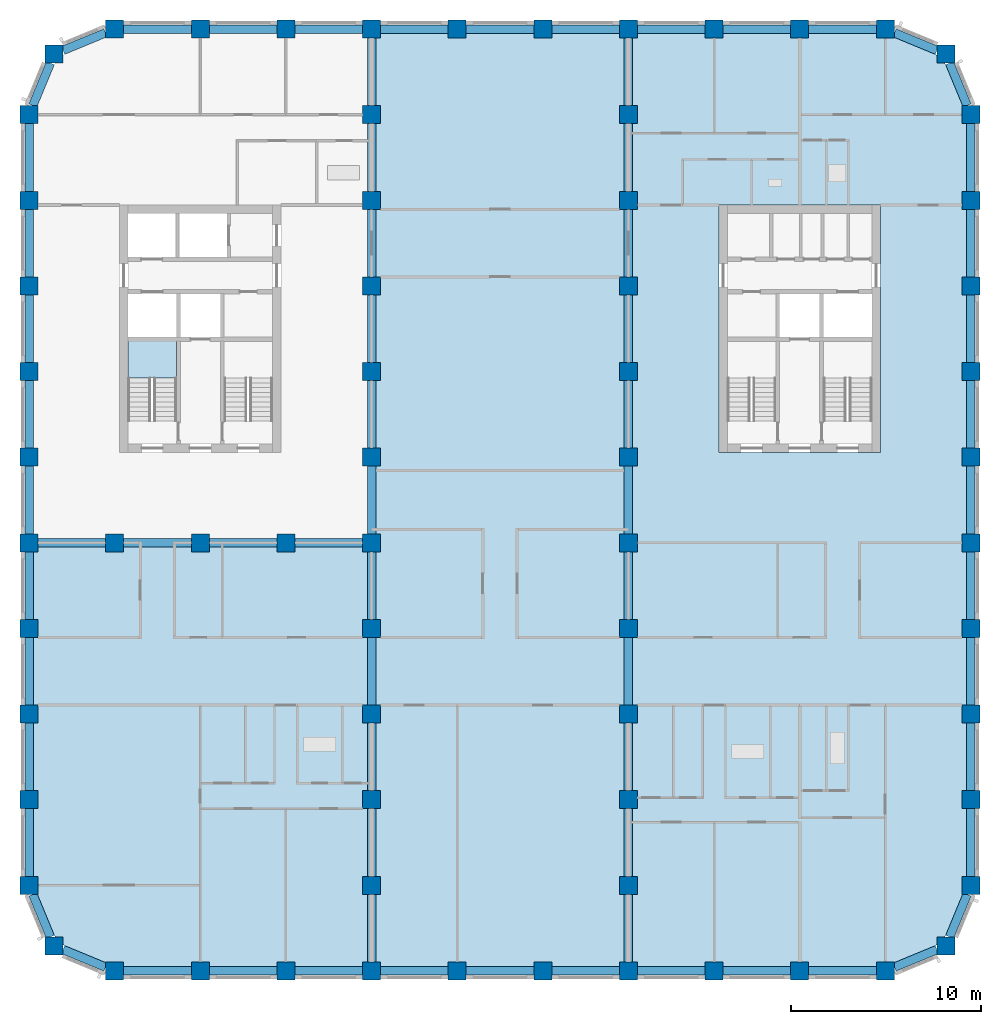
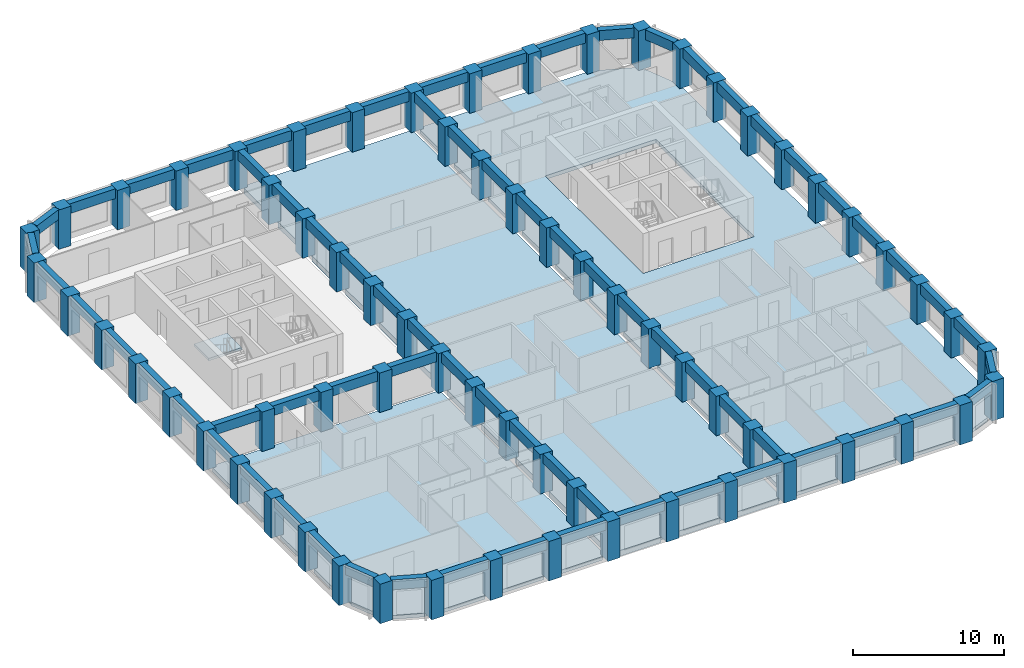
# One storey, part 1 of 12: 70 beams, 67 columns, 4 slabs, 1 element without a shape of its own.
"""IFC4 building model written with IfcOpenShell, lengths in metres."""

from ifc_helpers import new_model, si_unit, direction, frame, origin, origin_2d, place, context, subcontext, project, spatial, polyline, rectangle, outline, extrude, material, layer, layer_set, material_profile, profile_set, type_object, element, aggregate, save


model = new_model("IFC4")

# Units and contexts
model_context = context("Model", 3, precision=1e-05, world=origin(), true_north=direction((0.0, 1.0)))
body_context = subcontext(model_context, "Body", "Model", "MODEL_VIEW")
ifc_project = project(units=[si_unit("LENGTHUNIT", "METRE"), si_unit("AREAUNIT", "SQUARE_METRE"), si_unit("VOLUMEUNIT", "CUBIC_METRE"), si_unit("PLANEANGLEUNIT", "RADIAN"), si_unit("MASSUNIT", "GRAM", prefix="KILO")], contexts=[model_context])

# Site, building, storey
site_placement = place(None, origin())
site = spatial("IfcSite", under=ifc_project, at=site_placement, CompositionType="ELEMENT")
building_placement = place(site_placement, origin())
building = spatial("IfcBuilding", under=site, at=building_placement, Name="Girih Gate Residences", CompositionType="ELEMENT")
storey_placement = place(building_placement, frame((0.0, 0.0, 143.0)))
storey = spatial("IfcBuildingStorey", under=building, at=storey_placement, Name="L40", CompositionType="ELEMENT", Elevation=143.0)

# Columns
ifc_material_1 = material(Name="Concrete C70/85", Category="concrete")
ifc_material_profile_1 = material_profile(ifc_material_1, rectangle(XDim=0.949951171875, YDim=0.949951171875, at=origin_2d()))
ifc_profile_set_1 = profile_set([ifc_material_profile_1], Name="Concrete C70/85")
column_type = type_object("IfcColumnType", Name="Pier RC 950x950 Concrete C70/85", PredefinedType="COLUMN", material=ifc_profile_set_1)
for number, where, z_axis, x_axis, name in (
    (1, (4.5, 0.0, 0.0), (0.0, 0.0, 1.0), (1.0, 0.0, 0.0), "Pier P2A L40"),
    (2, (9.0, 0.0, 0.0), (0.0, 0.0, 1.0), (1.0, 0.0, 0.0), "Pier P3A L40"),
    (3, (13.5, 0.0, 0.0), (0.0, 0.0, 1.0), (1.0, 0.0, 0.0), "Pier P4A L40"),
    (4, (18.0, 0.0, 0.0), (0.0, 0.0, 1.0), (1.0, 0.0, 0.0), "Pier P5A L40"),
    (5, (22.5, 0.0, 0.0), (0.0, 0.0, 1.0), (1.0, 0.0, 0.0), "Pier P6A L40"),
    (6, (27.0, 0.0, 0.0), (0.0, 0.0, 1.0), (1.0, 0.0, 0.0), "Pier P7A L40"),
    (7, (31.5, 0.0, 0.0), (0.0, 0.0, 1.0), (1.0, 0.0, 0.0), "Pier P8A L40"),
    (8, (36.0, 0.0, 0.0), (0.0, 0.0, 1.0), (1.0, 0.0, 0.0), "Pier P9A L40"),
    (9, (40.5, 0.0, 0.0), (0.0, 0.0, 1.0), (1.0, 0.0, 0.0), "Pier P10A L40"),
    (10, (45.0, 0.0, 0.0), (0.0, 0.0, 1.0), (1.0, 0.0, 0.0), "Pier P11A L40"),
    (11, (1.318115234375, 1.318115234375, 0.0), (0.0, 0.0, 1.0), (1.0, 0.0, 0.0), "Pier P1ANE L40"),
    (12, (48.181884765625, 1.318115234375, 0.0), (0.0, 0.0, 1.0), (1.0, 0.0, 0.0), "Pier P12ANW L40"),
    (13, (0.0, 4.5, 0.0), (0.0, 0.0, 1.0), (1.0, 0.0, 0.0), "Pier P1B L40"),
    (14, (18.0, 4.5, 0.0), (0.0, 0.0, 1.0), (1.0, 0.0, 0.0), "Pier P5B L40"),
    (15, (31.5, 4.5, 0.0), (0.0, 0.0, 1.0), (1.0, 0.0, 0.0), "Pier P8B L40"),
    (16, (49.5, 4.5, 0.0), (0.0, 0.0, 1.0), (1.0, 0.0, 0.0), "Pier P12B L40"),
    (17, (0.0, 9.0, 0.0), (0.0, 0.0, 1.0), (1.0, 0.0, 0.0), "Pier P1C L40"),
    (18, (18.0, 9.0, 0.0), (0.0, 0.0, 1.0), (1.0, 0.0, 0.0), "Pier P5C L40"),
    (19, (31.5, 9.0, 0.0), (0.0, 0.0, 1.0), (1.0, 0.0, 0.0), "Pier P8C L40"),
    (20, (49.5, 9.0, 0.0), (0.0, 0.0, 1.0), (1.0, 0.0, 0.0), "Pier P12C L40"),
    (21, (0.0, 13.5, 0.0), (0.0, 0.0, 1.0), (1.0, 0.0, 0.0), "Pier P1D L40"),
    (22, (18.0, 13.5, 0.0), (0.0, 0.0, 1.0), (1.0, 0.0, 0.0), "Pier P5D L40"),
    (23, (31.5, 13.5, 0.0), (0.0, 0.0, 1.0), (1.0, 0.0, 0.0), "Pier P8D L40"),
    (24, (49.5, 13.5, 0.0), (0.0, 0.0, 1.0), (1.0, 0.0, 0.0), "Pier P12D L40"),
    (25, (0.0, 18.0, 0.0), (0.0, 0.0, 1.0), (1.0, 0.0, 0.0), "Pier P1E L40"),
    (26, (18.0, 18.0, 0.0), (0.0, 0.0, 1.0), (1.0, 0.0, 0.0), "Pier P5E L40"),
    (27, (31.5, 18.0, 0.0), (0.0, 0.0, 1.0), (1.0, 0.0, 0.0), "Pier P8E L40"),
    (28, (49.5, 18.0, 0.0), (0.0, 0.0, 1.0), (1.0, 0.0, 0.0), "Pier P12E L40"),
    (29, (0.0, 22.5, 0.0), (0.0, 0.0, 1.0), (1.0, 0.0, 0.0), "Pier P1F L40"),
    (30, (4.5, 22.5, 0.0), (0.0, 0.0, 1.0), (1.0, 0.0, 0.0), "Pier P2F L40"),
    (31, (9.0, 22.5, 0.0), (0.0, 0.0, 1.0), (1.0, 0.0, 0.0), "Pier P3F L40"),
    (32, (13.5, 22.5, 0.0), (0.0, 0.0, 1.0), (1.0, 0.0, 0.0), "Pier P4F L40"),
    (33, (18.0, 22.5, 0.0), (0.0, 0.0, 1.0), (1.0, 0.0, 0.0), "Pier P5F L40"),
    (34, (31.5, 22.5, 0.0), (0.0, 0.0, 1.0), (1.0, 0.0, 0.0), "Pier P8F L40"),
    (35, (49.5, 22.5, 0.0), (0.0, 0.0, 1.0), (1.0, 0.0, 0.0), "Pier P12F L40"),
    (36, (0.0, 27.0, 0.0), (0.0, 0.0, 1.0), (1.0, 0.0, 0.0), "Pier P1G L40"),
    (37, (18.0, 27.0, 0.0), (0.0, 0.0, 1.0), (1.0, 0.0, 0.0), "Pier P5G L40"),
    (38, (31.5, 27.0, 0.0), (0.0, 0.0, 1.0), (1.0, 0.0, 0.0), "Pier P8G L40"),
    (39, (49.5, 27.0, 0.0), (0.0, 0.0, 1.0), (1.0, 0.0, 0.0), "Pier P12G L40"),
    (40, (0.0, 31.5, 0.0), (0.0, 0.0, 1.0), (1.0, 0.0, 0.0), "Pier P1H L40"),
    (41, (18.0, 31.5, 0.0), (0.0, 0.0, 1.0), (1.0, 0.0, 0.0), "Pier P5H L40"),
    (42, (31.5, 31.5, 0.0), (0.0, 0.0, 1.0), (1.0, 0.0, 0.0), "Pier P8H L40"),
    (43, (49.5, 31.5, 0.0), (0.0, 0.0, 1.0), (1.0, 0.0, 0.0), "Pier P12H L40"),
    (44, (0.0, 36.0, 0.0), (0.0, 0.0, 1.0), (1.0, 0.0, 0.0), "Pier P1I L40"),
    (45, (18.0, 36.0, 0.0), (0.0, 0.0, 1.0), (1.0, 0.0, 0.0), "Pier P5I L40"),
    (46, (31.5, 36.0, 0.0), (0.0, 0.0, 1.0), (1.0, 0.0, 0.0), "Pier P8I L40"),
    (47, (49.5, 36.0, 0.0), (0.0, 0.0, 1.0), (1.0, 0.0, 0.0), "Pier P12I L40"),
    (48, (0.0, 40.5, 0.0), (0.0, 0.0, 1.0), (1.0, 0.0, 0.0), "Pier P1J L40"),
    (49, (18.0, 40.5, 0.0), (0.0, 0.0, 1.0), (1.0, 0.0, 0.0), "Pier P5J L40"),
    (50, (31.5, 40.5, 0.0), (0.0, 0.0, 1.0), (1.0, 0.0, 0.0), "Pier P8J L40"),
    (51, (49.5, 40.5, 0.0), (0.0, 0.0, 1.0), (1.0, 0.0, 0.0), "Pier P12J L40"),
    (52, (0.0, 45.0, 0.0), (0.0, 0.0, 1.0), (1.0, 0.0, 0.0), "Pier P1K L40"),
    (53, (18.0, 45.0, 0.0), (0.0, 0.0, 1.0), (1.0, 0.0, 0.0), "Pier P5K L40"),
    (54, (31.5, 45.0, 0.0), (0.0, 0.0, 1.0), (1.0, 0.0, 0.0), "Pier P8K L40"),
    (55, (49.5, 45.0, 0.0), (0.0, 0.0, 1.0), (1.0, 0.0, 0.0), "Pier P12K L40"),
    (56, (1.318115234375, 48.181884765625, 0.0), (0.0, 0.0, 1.0), (1.0, 0.0, 0.0), "Pier P1LSE L40"),
    (57, (48.181884765625, 48.181884765625, 0.0), (0.0, 0.0, 1.0), (1.0, 0.0, 0.0), "Pier P12LSW L40"),
    (58, (4.5, 49.5, 0.0), (0.0, 0.0, 1.0), (1.0, 0.0, 0.0), "Pier P2L L40"),
    (59, (9.0, 49.5, 0.0), (0.0, 0.0, 1.0), (1.0, 0.0, 0.0), "Pier P3L L40"),
    (60, (13.5, 49.5, 0.0), (0.0, 0.0, 1.0), (1.0, 0.0, 0.0), "Pier P4L L40"),
    (61, (18.0, 49.5, 0.0), (0.0, 0.0, 1.0), (1.0, 0.0, 0.0), "Pier P5L L40"),
    (62, (22.5, 49.5, 0.0), (0.0, 0.0, 1.0), (1.0, 0.0, 0.0), "Pier P6L L40"),
    (63, (27.0, 49.5, 0.0), (0.0, 0.0, 1.0), (1.0, 0.0, 0.0), "Pier P7L L40"),
    (64, (31.5, 49.5, 0.0), (0.0, 0.0, 1.0), (1.0, 0.0, 0.0), "Pier P8L L40"),
    (65, (36.0, 49.5, 0.0), (0.0, 0.0, 1.0), (1.0, 0.0, 0.0), "Pier P9L L40"),
    (66, (40.5, 49.5, 0.0), (0.0, 0.0, 1.0), (1.0, 0.0, 0.0), "Pier P10L L40"),
    (67, (45.0, 49.5, 0.0), (0.0, 0.0, 1.0), (1.0, 0.0, 0.0), "Pier P11L L40"),
):
    element("IfcColumn", number, at=place(storey_placement, frame(where, z_axis=z_axis, x_axis=x_axis)), inside=storey, type_object=column_type, Name=name, PredefinedType="COLUMN", context=body_context, shape_type="SweptSolid", body=[
        extrude(rectangle(XDim=0.949951171875, YDim=0.949951171875, at=origin_2d()), origin(), (0.0, 0.0, 1.0), 3.199951171875),
    ])

# Beams
ifc_material_2 = material(Name="Concrete C60/75", Category="concrete")
ifc_material_profile_2 = material_profile(ifc_material_2, rectangle(XDim=0.449951171875, YDim=0.800048828125, at=origin_2d()))
ifc_profile_set_2 = profile_set([ifc_material_profile_2], Name="Concrete C60/75")
beam_type = type_object("IfcBeamType", Name="Spandrel girder RC 450x800 Concrete C60/75", PredefinedType="BEAM", material=ifc_profile_set_2)
for number, where, z_axis, x_axis, name in (
    (68, (0.19677734375, 4.02490234375, 2.800048828125), (0.382705825988, -0.923870256451, 0.0), (0.923870256451, 0.382705825988, 0.0), "Spandrel girder SP-P1B-P1ANE L40"),
    (69, (1.79296875, 1.121337890625, 2.800048828125), (0.923870256451, -0.382705825988, 0.0), (0.382705825988, 0.923870256451, 0.0), "Spandrel girder SP-P1ANE-P2A L40"),
):
    element("IfcBeam", number, at=place(storey_placement, frame(where, z_axis=z_axis, x_axis=x_axis)), inside=storey, type_object=beam_type, Name=name, PredefinedType="BEAM", context=body_context, shape_type="SweptSolid", body=[
        extrude(rectangle(XDim=0.449951171875, YDim=0.800048828125, at=origin_2d()), origin(), (0.0, 0.0, 1.0), 2.415771484375),
    ])
for number, where, z_axis, x_axis, name in (
    (70, (4.97509765625, 0.0, 2.800048828125), (1.0, 0.0, 0.0), (0.0, 1.0, 0.0), "Spandrel girder SP-P2A-P3A L40"),
    (71, (9.47509765625, 0.0, 2.800048828125), (1.0, 0.0, 0.0), (0.0, 1.0, 0.0), "Spandrel girder SP-P3A-P4A L40"),
    (72, (13.97509765625, 0.0, 2.800048828125), (1.0, 0.0, 0.0), (0.0, 1.0, 0.0), "Spandrel girder SP-P4A-P5A L40"),
    (73, (18.47509765625, 0.0, 2.800048828125), (1.0, 0.0, 0.0), (0.0, 1.0, 0.0), "Spandrel girder SP-P5A-P6A L40"),
    (74, (22.97509765625, 0.0, 2.800048828125), (1.0, 0.0, 0.0), (0.0, 1.0, 0.0), "Spandrel girder SP-P6A-P7A L40"),
    (75, (27.47509765625, 0.0, 2.800048828125), (1.0, 0.0, 0.0), (0.0, 1.0, 0.0), "Spandrel girder SP-P7A-P8A L40"),
    (76, (31.97509765625, 0.0, 2.800048828125), (1.0, 0.0, 0.0), (0.0, 1.0, 0.0), "Spandrel girder SP-P8A-P9A L40"),
    (77, (36.47509765625, 0.0, 2.800048828125), (1.0, 0.0, 0.0), (0.0, 1.0, 0.0), "Spandrel girder SP-P9A-P10A L40"),
    (78, (40.97509765625, 0.0, 2.800048828125), (1.0, 0.0, 0.0), (0.0, 1.0, 0.0), "Spandrel girder SP-P10A-P11A L40"),
):
    element("IfcBeam", number, at=place(storey_placement, frame(where, z_axis=z_axis, x_axis=x_axis)), inside=storey, type_object=beam_type, Name=name, PredefinedType="BEAM", context=body_context, shape_type="SweptSolid", body=[
        extrude(rectangle(XDim=0.449951171875, YDim=0.800048828125, at=origin_2d()), origin(), (0.0, 0.0, 1.0), 3.5498046875),
    ])
for number, where, z_axis, x_axis, name in (
    (79, (45.47509765625, 0.19677734375, 2.800048828125), (0.923870256451, 0.382705825988, 0.0), (-0.382705825988, 0.923870256451, 0.0), "Spandrel girder SP-P11A-P12ANW L40"),
    (80, (48.378662109375, 1.79296875, 2.800048828125), (0.382705825988, 0.923870256451, 0.0), (-0.923870256451, 0.382705825988, 0.0), "Spandrel girder SP-P12ANW-P12B L40"),
):
    element("IfcBeam", number, at=place(storey_placement, frame(where, z_axis=z_axis, x_axis=x_axis)), inside=storey, type_object=beam_type, Name=name, PredefinedType="BEAM", context=body_context, shape_type="SweptSolid", body=[
        extrude(rectangle(XDim=0.449951171875, YDim=0.800048828125, at=origin_2d()), origin(), (0.0, 0.0, 1.0), 2.415771484375),
    ])
for number, where, z_axis, x_axis, name in (
    (81, (49.5, 4.97509765625, 2.800048828125), (0.0, 1.0, 0.0), (-1.0, 0.0, 0.0), "Spandrel girder SP-P12B-P12C L40"),
    (82, (49.5, 9.47509765625, 2.800048828125), (0.0, 1.0, 0.0), (-1.0, 0.0, 0.0), "Spandrel girder SP-P12C-P12D L40"),
    (83, (49.5, 13.97509765625, 2.800048828125), (0.0, 1.0, 0.0), (-1.0, 0.0, 0.0), "Spandrel girder SP-P12D-P12E L40"),
    (84, (49.5, 18.47509765625, 2.800048828125), (0.0, 1.0, 0.0), (-1.0, 0.0, 0.0), "Spandrel girder SP-P12E-P12F L40"),
    (85, (49.5, 22.97509765625, 2.800048828125), (0.0, 1.0, 0.0), (-1.0, 0.0, 0.0), "Spandrel girder SP-P12F-P12G L40"),
    (86, (49.5, 27.47509765625, 2.800048828125), (0.0, 1.0, 0.0), (-1.0, 0.0, 0.0), "Spandrel girder SP-P12G-P12H L40"),
    (87, (49.5, 31.97509765625, 2.800048828125), (0.0, 1.0, 0.0), (-1.0, 0.0, 0.0), "Spandrel girder SP-P12H-P12I L40"),
    (88, (49.5, 36.47509765625, 2.800048828125), (0.0, 1.0, 0.0), (-1.0, 0.0, 0.0), "Spandrel girder SP-P12I-P12J L40"),
    (89, (49.5, 40.97509765625, 2.800048828125), (0.0, 1.0, 0.0), (-1.0, 0.0, 0.0), "Spandrel girder SP-P12J-P12K L40"),
):
    element("IfcBeam", number, at=place(storey_placement, frame(where, z_axis=z_axis, x_axis=x_axis)), inside=storey, type_object=beam_type, Name=name, PredefinedType="BEAM", context=body_context, shape_type="SweptSolid", body=[
        extrude(rectangle(XDim=0.449951171875, YDim=0.800048828125, at=origin_2d()), origin(), (0.0, 0.0, 1.0), 3.5498046875),
    ])
for number, where, z_axis, x_axis, name in (
    (90, (49.30322265625, 45.47509765625, 2.800048828125), (-0.382705825988, 0.923870256451, 0.0), (-0.923870256451, -0.382705825988, 0.0), "Spandrel girder SP-P12K-P12LSW L40"),
    (91, (47.70703125, 48.378662109375, 2.800048828125), (-0.923870256451, 0.382705825988, 0.0), (-0.382705825988, -0.923870256451, 0.0), "Spandrel girder SP-P12LSW-P11L L40"),
):
    element("IfcBeam", number, at=place(storey_placement, frame(where, z_axis=z_axis, x_axis=x_axis)), inside=storey, type_object=beam_type, Name=name, PredefinedType="BEAM", context=body_context, shape_type="SweptSolid", body=[
        extrude(rectangle(XDim=0.449951171875, YDim=0.800048828125, at=origin_2d()), origin(), (0.0, 0.0, 1.0), 2.415771484375),
    ])
for number, where, z_axis, x_axis, name in (
    (92, (44.52490234375, 49.5, 2.800048828125), (-1.0, 0.0, 0.0), (0.0, -1.0, 0.0), "Spandrel girder SP-P11L-P10L L40"),
    (93, (40.02490234375, 49.5, 2.800048828125), (-1.0, 0.0, 0.0), (0.0, -1.0, 0.0), "Spandrel girder SP-P10L-P9L L40"),
    (94, (35.52490234375, 49.5, 2.800048828125), (-1.0, 0.0, 0.0), (0.0, -1.0, 0.0), "Spandrel girder SP-P9L-P8L L40"),
    (95, (31.02490234375, 49.5, 2.800048828125), (-1.0, 0.0, 0.0), (0.0, -1.0, 0.0), "Spandrel girder SP-P8L-P7L L40"),
    (96, (26.52490234375, 49.5, 2.800048828125), (-1.0, 0.0, 0.0), (0.0, -1.0, 0.0), "Spandrel girder SP-P7L-P6L L40"),
    (97, (22.02490234375, 49.5, 2.800048828125), (-1.0, 0.0, 0.0), (0.0, -1.0, 0.0), "Spandrel girder SP-P6L-P5L L40"),
    (98, (17.52490234375, 49.5, 2.800048828125), (-1.0, 0.0, 0.0), (0.0, -1.0, 0.0), "Spandrel girder SP-P5L-P4L L40"),
    (99, (13.02490234375, 49.5, 2.800048828125), (-1.0, 0.0, 0.0), (0.0, -1.0, 0.0), "Spandrel girder SP-P4L-P3L L40"),
    (100, (8.52490234375, 49.5, 2.800048828125), (-1.0, 0.0, 0.0), (0.0, -1.0, 0.0), "Spandrel girder SP-P3L-P2L L40"),
):
    element("IfcBeam", number, at=place(storey_placement, frame(where, z_axis=z_axis, x_axis=x_axis)), inside=storey, type_object=beam_type, Name=name, PredefinedType="BEAM", context=body_context, shape_type="SweptSolid", body=[
        extrude(rectangle(XDim=0.449951171875, YDim=0.800048828125, at=origin_2d()), origin(), (0.0, 0.0, 1.0), 3.5498046875),
    ])
for number, where, z_axis, x_axis, name in (
    (101, (4.02490234375, 49.30322265625, 2.800048828125), (-0.923870256451, -0.382705825988, 0.0), (0.382705825988, -0.923870256451, 0.0), "Spandrel girder SP-P2L-P1LSE L40"),
    (102, (1.121337890625, 47.70703125, 2.800048828125), (-0.382705825988, -0.923870256451, 0.0), (0.923870256451, -0.382705825988, 0.0), "Spandrel girder SP-P1LSE-P1K L40"),
):
    element("IfcBeam", number, at=place(storey_placement, frame(where, z_axis=z_axis, x_axis=x_axis)), inside=storey, type_object=beam_type, Name=name, PredefinedType="BEAM", context=body_context, shape_type="SweptSolid", body=[
        extrude(rectangle(XDim=0.449951171875, YDim=0.800048828125, at=origin_2d()), origin(), (0.0, 0.0, 1.0), 2.415771484375),
    ])
for number, where, z_axis, x_axis, name in (
    (103, (0.0, 44.52490234375, 2.800048828125), (0.0, -1.0, 0.0), (1.0, 0.0, 0.0), "Spandrel girder SP-P1K-P1J L40"),
    (104, (0.0, 40.02490234375, 2.800048828125), (0.0, -1.0, 0.0), (1.0, 0.0, 0.0), "Spandrel girder SP-P1J-P1I L40"),
    (105, (0.0, 35.52490234375, 2.800048828125), (0.0, -1.0, 0.0), (1.0, 0.0, 0.0), "Spandrel girder SP-P1I-P1H L40"),
    (106, (0.0, 31.02490234375, 2.800048828125), (0.0, -1.0, 0.0), (1.0, 0.0, 0.0), "Spandrel girder SP-P1H-P1G L40"),
    (107, (0.0, 26.52490234375, 2.800048828125), (0.0, -1.0, 0.0), (1.0, 0.0, 0.0), "Spandrel girder SP-P1G-P1F L40"),
    (108, (0.0, 22.02490234375, 2.800048828125), (0.0, -1.0, 0.0), (1.0, 0.0, 0.0), "Spandrel girder SP-P1F-P1E L40"),
    (109, (0.0, 17.52490234375, 2.800048828125), (0.0, -1.0, 0.0), (1.0, 0.0, 0.0), "Spandrel girder SP-P1E-P1D L40"),
    (110, (0.0, 13.02490234375, 2.800048828125), (0.0, -1.0, 0.0), (1.0, 0.0, 0.0), "Spandrel girder SP-P1D-P1C L40"),
    (111, (0.0, 8.52490234375, 2.800048828125), (0.0, -1.0, 0.0), (1.0, 0.0, 0.0), "Spandrel girder SP-P1C-P1B L40"),
    (112, (18.0, 0.47509765625, 2.800048828125), (0.0, 1.0, 0.0), (-1.0, 0.0, 0.0), "Spandrel girder SP-P5A-P5B L40"),
    (113, (18.0, 4.97509765625, 2.800048828125), (0.0, 1.0, 0.0), (-1.0, 0.0, 0.0), "Spandrel girder SP-P5B-P5C L40"),
    (114, (18.0, 9.47509765625, 2.800048828125), (0.0, 1.0, 0.0), (-1.0, 0.0, 0.0), "Spandrel girder SP-P5C-P5D L40"),
    (115, (18.0, 13.97509765625, 2.800048828125), (0.0, 1.0, 0.0), (-1.0, 0.0, 0.0), "Spandrel girder SP-P5D-P5E L40"),
    (116, (18.0, 18.47509765625, 2.800048828125), (0.0, 1.0, 0.0), (-1.0, 0.0, 0.0), "Spandrel girder SP-P5E-P5F L40"),
    (117, (18.0, 22.97509765625, 2.800048828125), (0.0, 1.0, 0.0), (-1.0, 0.0, 0.0), "Spandrel girder SP-P5F-P5G L40"),
    (118, (18.0, 27.47509765625, 2.800048828125), (0.0, 1.0, 0.0), (-1.0, 0.0, 0.0), "Spandrel girder SP-P5G-P5H L40"),
    (119, (18.0, 31.97509765625, 2.800048828125), (0.0, 1.0, 0.0), (-1.0, 0.0, 0.0), "Spandrel girder SP-P5H-P5I L40"),
    (120, (18.0, 36.47509765625, 2.800048828125), (0.0, 1.0, 0.0), (-1.0, 0.0, 0.0), "Spandrel girder SP-P5I-P5J L40"),
    (121, (18.0, 40.97509765625, 2.800048828125), (0.0, 1.0, 0.0), (-1.0, 0.0, 0.0), "Spandrel girder SP-P5J-P5K L40"),
    (122, (18.0, 45.47509765625, 2.800048828125), (0.0, 1.0, 0.0), (-1.0, 0.0, 0.0), "Spandrel girder SP-P5K-P5L L40"),
    (123, (31.5, 0.47509765625, 2.800048828125), (0.0, 1.0, 0.0), (-1.0, 0.0, 0.0), "Spandrel girder SP-P8A-P8B L40"),
    (124, (31.5, 4.97509765625, 2.800048828125), (0.0, 1.0, 0.0), (-1.0, 0.0, 0.0), "Spandrel girder SP-P8B-P8C L40"),
    (125, (31.5, 9.47509765625, 2.800048828125), (0.0, 1.0, 0.0), (-1.0, 0.0, 0.0), "Spandrel girder SP-P8C-P8D L40"),
    (126, (31.5, 13.97509765625, 2.800048828125), (0.0, 1.0, 0.0), (-1.0, 0.0, 0.0), "Spandrel girder SP-P8D-P8E L40"),
    (127, (31.5, 18.47509765625, 2.800048828125), (0.0, 1.0, 0.0), (-1.0, 0.0, 0.0), "Spandrel girder SP-P8E-P8F L40"),
    (128, (31.5, 22.97509765625, 2.800048828125), (0.0, 1.0, 0.0), (-1.0, 0.0, 0.0), "Spandrel girder SP-P8F-P8G L40"),
    (129, (31.5, 27.47509765625, 2.800048828125), (0.0, 1.0, 0.0), (-1.0, 0.0, 0.0), "Spandrel girder SP-P8G-P8H L40"),
    (130, (31.5, 31.97509765625, 2.800048828125), (0.0, 1.0, 0.0), (-1.0, 0.0, 0.0), "Spandrel girder SP-P8H-P8I L40"),
    (131, (31.5, 36.47509765625, 2.800048828125), (0.0, 1.0, 0.0), (-1.0, 0.0, 0.0), "Spandrel girder SP-P8I-P8J L40"),
    (132, (31.5, 40.97509765625, 2.800048828125), (0.0, 1.0, 0.0), (-1.0, 0.0, 0.0), "Spandrel girder SP-P8J-P8K L40"),
    (133, (31.5, 45.47509765625, 2.800048828125), (0.0, 1.0, 0.0), (-1.0, 0.0, 0.0), "Spandrel girder SP-P8K-P8L L40"),
    (134, (0.47509765625, 22.5, 2.800048828125), (1.0, 0.0, 0.0), (0.0, 1.0, 0.0), "Spandrel girder SP-P1F-P2F L40"),
    (135, (4.97509765625, 22.5, 2.800048828125), (1.0, 0.0, 0.0), (0.0, 1.0, 0.0), "Spandrel girder SP-P2F-P3F L40"),
    (136, (9.47509765625, 22.5, 2.800048828125), (1.0, 0.0, 0.0), (0.0, 1.0, 0.0), "Spandrel girder SP-P3F-P4F L40"),
    (137, (13.97509765625, 22.5, 2.800048828125), (1.0, 0.0, 0.0), (0.0, 1.0, 0.0), "Spandrel girder SP-P4F-P5F L40"),
):
    element("IfcBeam", number, at=place(storey_placement, frame(where, z_axis=z_axis, x_axis=x_axis)), inside=storey, type_object=beam_type, Name=name, PredefinedType="BEAM", context=body_context, shape_type="SweptSolid", body=[
        extrude(rectangle(XDim=0.449951171875, YDim=0.800048828125, at=origin_2d()), origin(), (0.0, 0.0, 1.0), 3.5498046875),
    ])

# Slabs
ifc_material_3 = material(Name="Concrete C40/50", Category="concrete")
ifc_layer_1 = layer(ifc_material_3, 0.300048828125)
ifc_layer_set_1 = layer_set([ifc_layer_1], Name="Floor slab PT 300 Concrete C40/50")
slab_type_1 = type_object("IfcSlabType", Name="Floor slab PT 300 Concrete C40/50", PredefinedType="FLOOR", material=ifc_layer_set_1)
slab_1_placement = place(storey_placement, frame((0.0, 0.0, -0.300048828125)))
element("IfcSlab", 138, at=slab_1_placement, inside=storey, type_object=slab_type_1, Name="Floor slab L40 0", PredefinedType="FLOOR", context=body_context, shape_type="SweptSolid", body=[
    extrude(outline(polyline([(0.22509765625, 8.52490234375), (0.22509765625, 4.97509765625), (0.47509765625, 4.97509765625), (0.47509765625, 4.02490234375), (0.440185546875, 4.02490234375), (1.36474609375, 1.79296875), (1.79296875, 1.79296875), (1.79296875, 1.36474609375), (4.02490234375, 0.440185546875), (4.02490234375, 0.47509765625), (4.97509765625, 0.47509765625), (4.97509765625, 0.22509765625), (8.52490234375, 0.22509765625), (8.52490234375, 0.47509765625), (9.47509765625, 0.47509765625), (9.47509765625, 0.22509765625), (13.02490234375, 0.22509765625), (13.02490234375, 0.47509765625), (13.97509765625, 0.47509765625), (13.97509765625, 0.22509765625), (17.52490234375, 0.22509765625), (17.52490234375, 0.47509765625), (17.77490234375, 0.47509765625), (17.77490234375, 4.02490234375), (17.52490234375, 4.02490234375), (17.52490234375, 4.97509765625), (17.77490234375, 4.97509765625), (17.77490234375, 8.52490234375), (17.52490234375, 8.52490234375), (17.52490234375, 9.47509765625), (17.77490234375, 9.47509765625), (17.77490234375, 13.02490234375), (17.52490234375, 13.02490234375), (17.52490234375, 13.97509765625), (17.77490234375, 13.97509765625), (17.77490234375, 17.52490234375), (17.52490234375, 17.52490234375), (17.52490234375, 18.47509765625), (17.77490234375, 18.47509765625), (17.77490234375, 22.02490234375), (17.52490234375, 22.02490234375), (17.52490234375, 22.27490234375), (13.97509765625, 22.27490234375), (13.97509765625, 22.02490234375), (13.02490234375, 22.02490234375), (13.02490234375, 22.27490234375), (9.47509765625, 22.27490234375), (9.47509765625, 22.02490234375), (8.52490234375, 22.02490234375), (8.52490234375, 22.27490234375), (4.97509765625, 22.27490234375), (4.97509765625, 22.02490234375), (4.02490234375, 22.02490234375), (4.02490234375, 22.27490234375), (0.47509765625, 22.27490234375), (0.47509765625, 22.02490234375), (0.22509765625, 22.02490234375), (0.22509765625, 18.47509765625), (0.47509765625, 18.47509765625), (0.47509765625, 17.52490234375), (0.22509765625, 17.52490234375), (0.22509765625, 13.97509765625), (0.47509765625, 13.97509765625), (0.47509765625, 13.02490234375), (0.22509765625, 13.02490234375), (0.22509765625, 9.47509765625), (0.47509765625, 9.47509765625), (0.47509765625, 8.52490234375), (0.22509765625, 8.52490234375)])), origin(), (0.0, 0.0, 1.0), 0.300048828125),
])
slab_2_placement = place(storey_placement, frame((0.0, 0.0, -0.300048828125)))
element("IfcSlab", 139, at=slab_2_placement, inside=storey, type_object=slab_type_1, Name="Floor slab L40 1", PredefinedType="FLOOR", context=body_context, shape_type="SweptSolid", body=[
    extrude(outline(polyline([(35.52490234375, 49.27490234375), (31.97509765625, 49.27490234375), (31.97509765625, 49.02490234375), (31.72509765625, 49.02490234375), (31.72509765625, 45.47509765625), (31.97509765625, 45.47509765625), (31.97509765625, 44.52490234375), (31.72509765625, 44.52490234375), (31.72509765625, 40.97509765625), (31.97509765625, 40.97509765625), (31.97509765625, 40.02490234375), (31.72509765625, 40.02490234375), (31.72509765625, 36.47509765625), (31.97509765625, 36.47509765625), (31.97509765625, 35.52490234375), (31.72509765625, 35.52490234375), (31.72509765625, 31.97509765625), (31.97509765625, 31.97509765625), (31.97509765625, 31.02490234375), (31.72509765625, 31.02490234375), (31.72509765625, 27.47509765625), (31.97509765625, 27.47509765625), (31.97509765625, 26.52490234375), (31.72509765625, 26.52490234375), (31.72509765625, 22.97509765625), (31.97509765625, 22.97509765625), (31.97509765625, 22.02490234375), (31.72509765625, 22.02490234375), (31.72509765625, 18.47509765625), (31.97509765625, 18.47509765625), (31.97509765625, 17.52490234375), (31.72509765625, 17.52490234375), (31.72509765625, 13.97509765625), (31.97509765625, 13.97509765625), (31.97509765625, 13.02490234375), (31.72509765625, 13.02490234375), (31.72509765625, 9.47509765625), (31.97509765625, 9.47509765625), (31.97509765625, 8.52490234375), (31.72509765625, 8.52490234375), (31.72509765625, 4.97509765625), (31.97509765625, 4.97509765625), (31.97509765625, 4.02490234375), (31.72509765625, 4.02490234375), (31.72509765625, 0.47509765625), (31.97509765625, 0.47509765625), (31.97509765625, 0.22509765625), (35.52490234375, 0.22509765625), (35.52490234375, 0.47509765625), (36.47509765625, 0.47509765625), (36.47509765625, 0.22509765625), (40.02490234375, 0.22509765625), (40.02490234375, 0.47509765625), (40.97509765625, 0.47509765625), (40.97509765625, 0.22509765625), (44.52490234375, 0.22509765625), (44.52490234375, 0.47509765625), (45.47509765625, 0.47509765625), (45.47509765625, 0.440185546875), (47.70703125, 1.36474609375), (47.70703125, 1.79296875), (48.13525390625, 1.79296875), (49.059814453125, 4.02490234375), (49.02490234375, 4.02490234375), (49.02490234375, 4.97509765625), (49.27490234375, 4.97509765625), (49.27490234375, 8.52490234375), (49.02490234375, 8.52490234375), (49.02490234375, 9.47509765625), (49.27490234375, 9.47509765625), (49.27490234375, 13.02490234375), (49.02490234375, 13.02490234375), (49.02490234375, 13.97509765625), (49.27490234375, 13.97509765625), (49.27490234375, 17.52490234375), (49.02490234375, 17.52490234375), (49.02490234375, 18.47509765625), (49.27490234375, 18.47509765625), (49.27490234375, 22.02490234375), (49.02490234375, 22.02490234375), (49.02490234375, 22.97509765625), (49.27490234375, 22.97509765625), (49.27490234375, 26.52490234375), (49.02490234375, 26.52490234375), (49.02490234375, 27.47509765625), (49.27490234375, 27.47509765625), (49.27490234375, 31.02490234375), (49.02490234375, 31.02490234375), (49.02490234375, 31.97509765625), (49.27490234375, 31.97509765625), (49.27490234375, 35.52490234375), (49.02490234375, 35.52490234375), (49.02490234375, 36.47509765625), (49.27490234375, 36.47509765625), (49.27490234375, 40.02490234375), (49.02490234375, 40.02490234375), (49.02490234375, 40.97509765625), (49.27490234375, 40.97509765625), (49.27490234375, 44.52490234375), (49.02490234375, 44.52490234375), (49.02490234375, 45.47509765625), (49.059814453125, 45.47509765625), (48.13525390625, 47.70703125), (47.70703125, 47.70703125), (47.70703125, 48.13525390625), (45.47509765625, 49.059814453125), (45.47509765625, 49.02490234375), (44.52490234375, 49.02490234375), (44.52490234375, 49.27490234375), (40.97509765625, 49.27490234375), (40.97509765625, 49.02490234375), (40.02490234375, 49.02490234375), (40.02490234375, 49.27490234375), (36.47509765625, 49.27490234375), (36.47509765625, 49.02490234375), (35.52490234375, 49.02490234375), (35.52490234375, 49.27490234375)]), holes=[polyline([(44.75, 40.25), (44.75, 27.25), (36.25, 27.25), (36.25, 40.25), (44.75, 40.25)])]), origin(), (0.0, 0.0, 1.0), 0.300048828125),
])
ifc_layer_2 = layer(ifc_material_3, 0.449951171875)
ifc_layer_set_2 = layer_set([ifc_layer_2], Name="Floor slab PT 450 Concrete C40/50")
slab_type_2 = type_object("IfcSlabType", Name="Floor slab PT 450 Concrete C40/50", PredefinedType="FLOOR", material=ifc_layer_set_2)
slab_3_placement = place(storey_placement, frame((0.0, 0.0, -0.449951171875)))
element("IfcSlab", 140, at=slab_3_placement, inside=storey, type_object=slab_type_2, Name="Floor slab L40 2", PredefinedType="FLOOR", context=body_context, shape_type="SweptSolid", body=[
    extrude(outline(polyline([(22.02490234375, 49.27490234375), (18.47509765625, 49.27490234375), (18.47509765625, 49.02490234375), (18.22509765625, 49.02490234375), (18.22509765625, 45.47509765625), (18.47509765625, 45.47509765625), (18.47509765625, 44.52490234375), (18.22509765625, 44.52490234375), (18.22509765625, 40.97509765625), (18.47509765625, 40.97509765625), (18.47509765625, 40.02490234375), (18.22509765625, 40.02490234375), (18.22509765625, 36.47509765625), (18.47509765625, 36.47509765625), (18.47509765625, 35.52490234375), (18.22509765625, 35.52490234375), (18.22509765625, 31.97509765625), (18.47509765625, 31.97509765625), (18.47509765625, 31.02490234375), (18.22509765625, 31.02490234375), (18.22509765625, 27.47509765625), (18.47509765625, 27.47509765625), (18.47509765625, 26.52490234375), (18.22509765625, 26.52490234375), (18.22509765625, 22.97509765625), (18.47509765625, 22.97509765625), (18.47509765625, 22.02490234375), (18.22509765625, 22.02490234375), (18.22509765625, 18.47509765625), (18.47509765625, 18.47509765625), (18.47509765625, 17.52490234375), (18.22509765625, 17.52490234375), (18.22509765625, 13.97509765625), (18.47509765625, 13.97509765625), (18.47509765625, 13.02490234375), (18.22509765625, 13.02490234375), (18.22509765625, 9.47509765625), (18.47509765625, 9.47509765625), (18.47509765625, 8.52490234375), (18.22509765625, 8.52490234375), (18.22509765625, 4.97509765625), (18.47509765625, 4.97509765625), (18.47509765625, 4.02490234375), (18.22509765625, 4.02490234375), (18.22509765625, 0.47509765625), (18.47509765625, 0.47509765625), (18.47509765625, 0.22509765625), (22.02490234375, 0.22509765625), (22.02490234375, 0.47509765625), (22.97509765625, 0.47509765625), (22.97509765625, 0.22509765625), (26.52490234375, 0.22509765625), (26.52490234375, 0.47509765625), (27.47509765625, 0.47509765625), (27.47509765625, 0.22509765625), (31.02490234375, 0.22509765625), (31.02490234375, 0.47509765625), (31.27490234375, 0.47509765625), (31.27490234375, 4.02490234375), (31.02490234375, 4.02490234375), (31.02490234375, 4.97509765625), (31.27490234375, 4.97509765625), (31.27490234375, 8.52490234375), (31.02490234375, 8.52490234375), (31.02490234375, 9.47509765625), (31.27490234375, 9.47509765625), (31.27490234375, 13.02490234375), (31.02490234375, 13.02490234375), (31.02490234375, 13.97509765625), (31.27490234375, 13.97509765625), (31.27490234375, 17.52490234375), (31.02490234375, 17.52490234375), (31.02490234375, 18.47509765625), (31.27490234375, 18.47509765625), (31.27490234375, 22.02490234375), (31.02490234375, 22.02490234375), (31.02490234375, 22.97509765625), (31.27490234375, 22.97509765625), (31.27490234375, 26.52490234375), (31.02490234375, 26.52490234375), (31.02490234375, 27.47509765625), (31.27490234375, 27.47509765625), (31.27490234375, 31.02490234375), (31.02490234375, 31.02490234375), (31.02490234375, 31.97509765625), (31.27490234375, 31.97509765625), (31.27490234375, 35.52490234375), (31.02490234375, 35.52490234375), (31.02490234375, 36.47509765625), (31.27490234375, 36.47509765625), (31.27490234375, 40.02490234375), (31.02490234375, 40.02490234375), (31.02490234375, 40.97509765625), (31.27490234375, 40.97509765625), (31.27490234375, 44.52490234375), (31.02490234375, 44.52490234375), (31.02490234375, 45.47509765625), (31.27490234375, 45.47509765625), (31.27490234375, 49.02490234375), (31.02490234375, 49.02490234375), (31.02490234375, 49.27490234375), (27.47509765625, 49.27490234375), (27.47509765625, 49.02490234375), (26.52490234375, 49.02490234375), (26.52490234375, 49.27490234375), (22.97509765625, 49.27490234375), (22.97509765625, 49.02490234375), (22.02490234375, 49.02490234375), (22.02490234375, 49.27490234375)])), origin(), (0.0, 0.0, 1.0), 0.449951171875),
])

# Stair, slab
stair_type = type_object("IfcStairType", Name="Exit stair", PredefinedType="HALF_TURN_STAIR", material=ifc_material_3)
stair_placement = place(storey_placement, origin())
stair = element("IfcStair", 141, at=stair_placement, inside=storey, type_object=stair_type, Name="L40 Exit Stair ST-W1", PredefinedType="HALF_TURN_STAIR")
ifc_layer_3 = layer(ifc_material_3, 0.199951171875)
ifc_layer_set_3 = layer_set([ifc_layer_3], Name="Stair landing 200")
slab_type_3 = type_object("IfcSlabType", Name="Stair landing 200", PredefinedType="LANDING", material=ifc_layer_set_3)
slab_4_placement = place(storey_placement, frame((0.0, 0.0, 1.39990234375)))
slab_4 = element("IfcSlab", 142, at=slab_4_placement, type_object=slab_type_3, Name="ST-W1 landing 1", PredefinedType="LANDING", context=body_context, shape_type="SweptSolid", body=[
    extrude(outline(polyline([(7.75, 31.14990234375), (7.75, 33.10009765625), (5.199951171875, 33.10009765625), (5.199951171875, 31.14990234375), (7.75, 31.14990234375)])), origin(), (0.0, 0.0, 1.0), 0.2001953125),
])
aggregate(stair, [slab_4])

save(model, "model.ifc")
